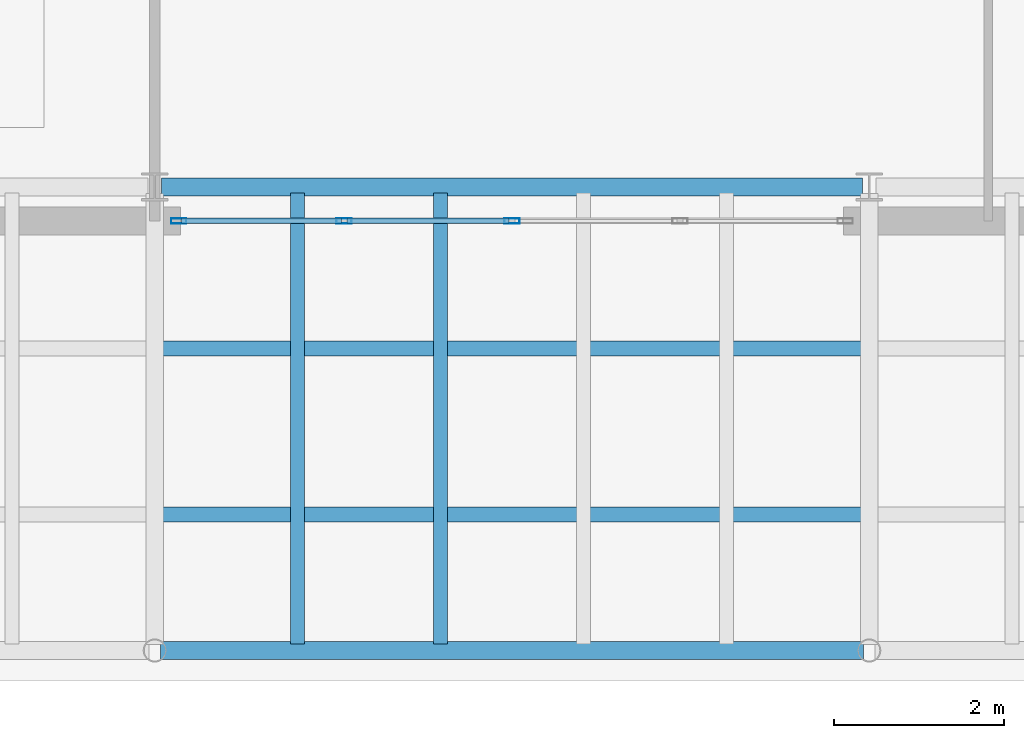
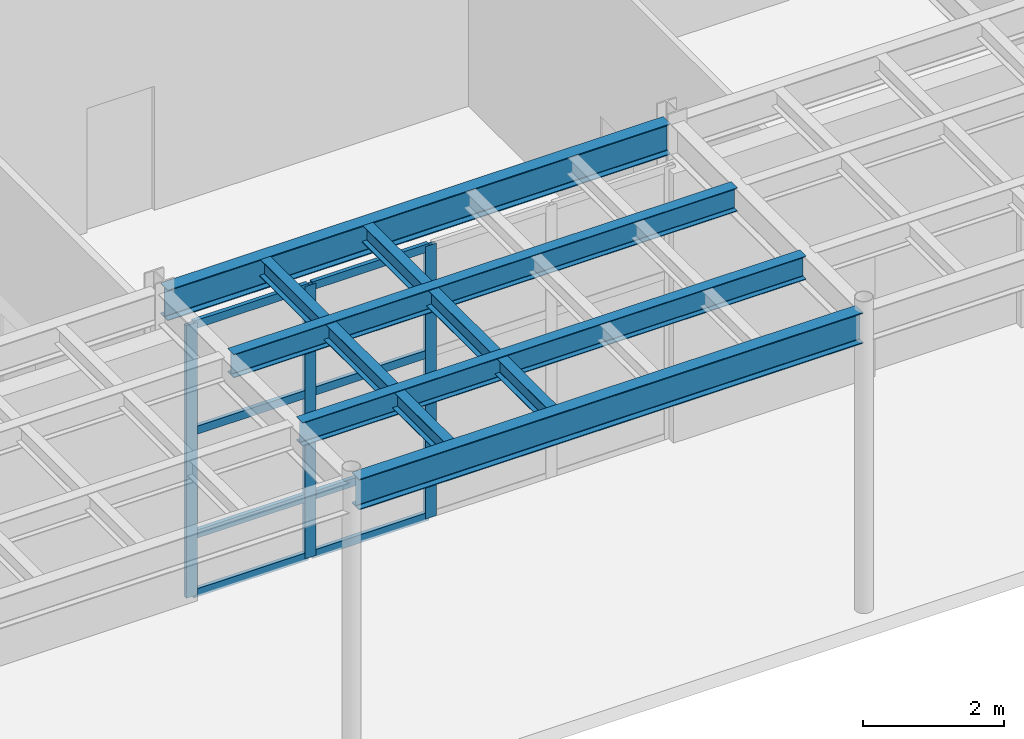
# One storey, part 29 of 87: 11 members, 6 beams, 1 element without a shape of its own.
"""IFC4 building model written with IfcOpenShell, lengths in metres."""

from ifc_helpers import new_model, si_unit, direction, frame, origin, origin_2d, place, context, subcontext, project, spatial, hollow_rectangle, i_section, extrude, material, layer, layer_set, material_profile, profile_set, type_object, element, aggregate, save


model = new_model("IFC4")

# Units and contexts
model_context = context("Model", 3, precision=1e-05, world=origin(), true_north=direction((0.0, 1.0)))
body_context = subcontext(model_context, "Body", "Model", "MODEL_VIEW")
ifc_project = project(units=[si_unit("LENGTHUNIT", "METRE"), si_unit("AREAUNIT", "SQUARE_METRE"), si_unit("VOLUMEUNIT", "CUBIC_METRE"), si_unit("PLANEANGLEUNIT", "RADIAN"), si_unit("MASSUNIT", "GRAM", prefix="KILO")], contexts=[model_context])

# Site, building, storey
site_placement = place(None, origin())
site = spatial("IfcSite", under=ifc_project, at=site_placement, CompositionType="ELEMENT")
building_placement = place(site_placement, origin())
building = spatial("IfcBuilding", under=site, at=building_placement, Name="Selat Folded Stagehouse", CompositionType="ELEMENT")
storey_placement = place(building_placement, origin())
storey = spatial("IfcBuildingStorey", under=building, at=storey_placement, Name="L00", CompositionType="ELEMENT", Elevation=0.0)

# Beams
ifc_material_1 = material(Name="Steel S355", Category="steel")
ifc_material_profile_1 = material_profile(ifc_material_1, i_section(OverallWidth=0.209228515625, OverallDepth=0.533203125, WebThickness=0.010009765625, FlangeThickness=0.015625, FilletRadius=0.0126953125, at=origin_2d()), Name="UKB 533x210x92")
ifc_profile_set_1 = profile_set([ifc_material_profile_1], Name="Steel S355")
beam_type_1 = type_object("IfcBeamType", Name="BM-GIRD-533x210x92", PredefinedType="BEAM", material=ifc_profile_set_1)
beam_1_placement = place(storey_placement, frame((58.8681640625, 0.35009765625, 4.943603515625), z_axis=(1.0, 0.0, 0.0), x_axis=(0.0, 1.0, 0.0)))
element("IfcBeam", 1, at=beam_1_placement, inside=storey, type_object=beam_type_1, Name="L00 primary x-girder 0498", PredefinedType="BEAM", context=body_context, shape_type="SweptSolid", body=[
    extrude(i_section(OverallWidth=0.209228515625, OverallDepth=0.533203125, WebThickness=0.010009765625, FlangeThickness=0.015625, FilletRadius=0.0126953125, at=origin_2d()), origin(), (0.0, 0.0, 1.0), 8.263427734375),
])
beam_2_placement = place(storey_placement, frame((58.8798828125, 5.800048828125, 4.91357421875), z_axis=(1.0, 0.0, 0.0), x_axis=(0.0, 1.0, 0.0)))
element("IfcBeam", 2, at=beam_2_placement, inside=storey, type_object=beam_type_1, Name="L00 primary x-girder 0502", PredefinedType="BEAM", context=body_context, shape_type="SweptSolid", body=[
    extrude(i_section(OverallWidth=0.209228515625, OverallDepth=0.533203125, WebThickness=0.010009765625, FlangeThickness=0.015625, FilletRadius=0.0126953125, at=origin_2d()), origin(), (0.0, 0.0, 1.0), 8.240234375),
])

# Curtain wall, members
ifc_material_2 = material(Name="Aluminium 6063-T6", Category="aluminium")
ifc_layer = layer(ifc_material_2, 0.2099609375)
ifc_layer_set = layer_set([ifc_layer], Name="Aluminium 6063-T6")
curtain_wall_type = type_object("IfcCurtainWallType", Name="CW-FYR-SOUTH", PredefinedType="NOTDEFINED", material=ifc_layer_set)
curtain_wall_placement = place(storey_placement, origin())
curtain_wall = element("IfcCurtainWall", 3, at=curtain_wall_placement, inside=storey, type_object=curtain_wall_type, Name="L00 curtain wall CW-FYR-L00-02", PredefinedType="NOTDEFINED")
ifc_material_profile_2 = material_profile(ifc_material_2, hollow_rectangle(XDim=0.06494140625, YDim=0.179931640625, WallThickness=0.00390625, at=origin_2d()), Name="ALU 180x65x4.0")
ifc_profile_set_2 = profile_set([ifc_material_profile_2], Name="Aluminium 6063-T6")
member_type_1 = type_object("IfcMemberType", Name="CWM-MUL-180x65", PredefinedType="MULLION", material=ifc_profile_set_2)
member_1_placement = place(storey_placement, frame((63.0, 5.39990234375, 0.0), z_axis=(0.0, 0.0, 1.0), x_axis=(0.0, -1.0, 0.0)))
member_1 = element("IfcMember", 4, at=member_1_placement, type_object=member_type_1, Name="CW-04 mullion 3", PredefinedType="MULLION", context=body_context, shape_type="SweptSolid", body=[
    extrude(hollow_rectangle(XDim=0.06494140625, YDim=0.179931640625, WallThickness=0.00390625, at=origin_2d()), origin(), (0.0, 0.0, 1.0), 4.719970703125),
])
member_2_placement = place(storey_placement, frame((61.02490234375, 5.39990234375, 0.0), z_axis=(0.0, 0.0, 1.0), x_axis=(0.0, -1.0, 0.0)))
member_2 = element("IfcMember", 5, at=member_2_placement, type_object=member_type_1, Name="CW-04 mullion 4", PredefinedType="MULLION", context=body_context, shape_type="SweptSolid", body=[
    extrude(hollow_rectangle(XDim=0.06494140625, YDim=0.179931640625, WallThickness=0.00390625, at=origin_2d()), origin(), (0.0, 0.0, 1.0), 4.719970703125),
])
member_3_placement = place(storey_placement, frame((59.08251953125, 5.39990234375, 0.0), z_axis=(0.0, 0.0, 1.0), x_axis=(0.0, -1.0, 0.0)))
member_3 = element("IfcMember", 6, at=member_3_placement, type_object=member_type_1, Name="CW-04 mullion 5", PredefinedType="MULLION", context=body_context, shape_type="SweptSolid", body=[
    extrude(hollow_rectangle(XDim=0.06494140625, YDim=0.179931640625, WallThickness=0.00390625, at=origin_2d()), origin(), (0.0, 0.0, 1.0), 4.719970703125),
])
ifc_material_profile_3 = material_profile(ifc_material_2, hollow_rectangle(XDim=0.06494140625, YDim=0.139892578125, WallThickness=0.00390625, at=origin_2d()), Name="ALU 140x65x4.0")
ifc_profile_set_3 = profile_set([ifc_material_profile_3], Name="Aluminium 6063-T6")
member_type_2 = type_object("IfcMemberType", Name="CWM-TRN-140x65", PredefinedType="USERDEFINED", material=ifc_profile_set_3)
member_4_placement = place(storey_placement, frame((62.967529296875, 5.39990234375, 0.032470703125), z_axis=(-1.0, 0.0, 0.0), x_axis=(0.0, -1.0, 0.0)))
member_4 = element("IfcMember", 7, at=member_4_placement, type_object=member_type_2, Name="CW-04 transom 3.1", ObjectType="TRANSOM", PredefinedType="USERDEFINED", context=body_context, shape_type="SweptSolid", body=[
    extrude(hollow_rectangle(XDim=0.06494140625, YDim=0.139892578125, WallThickness=0.00390625, at=origin_2d()), origin(), (0.0, 0.0, 1.0), 1.909912109375),
])
member_5_placement = place(storey_placement, frame((62.967529296875, 5.39990234375, 1.050048828125), z_axis=(-1.0, 0.0, 0.0), x_axis=(0.0, -1.0, 0.0)))
member_5 = element("IfcMember", 8, at=member_5_placement, type_object=member_type_2, Name="CW-04 transom 3.2", ObjectType="TRANSOM", PredefinedType="USERDEFINED", context=body_context, shape_type="SweptSolid", body=[
    extrude(hollow_rectangle(XDim=0.06494140625, YDim=0.139892578125, WallThickness=0.00390625, at=origin_2d()), origin(), (0.0, 0.0, 1.0), 1.909912109375),
])
member_6_placement = place(storey_placement, frame((62.967529296875, 5.39990234375, 2.85009765625), z_axis=(-1.0, 0.0, 0.0), x_axis=(0.0, -1.0, 0.0)))
member_6 = element("IfcMember", 9, at=member_6_placement, type_object=member_type_2, Name="CW-04 transom 3.3", ObjectType="TRANSOM", PredefinedType="USERDEFINED", context=body_context, shape_type="SweptSolid", body=[
    extrude(hollow_rectangle(XDim=0.06494140625, YDim=0.139892578125, WallThickness=0.00390625, at=origin_2d()), origin(), (0.0, 0.0, 1.0), 1.909912109375),
])
member_7_placement = place(storey_placement, frame((62.967529296875, 5.39990234375, 4.6875), z_axis=(-1.0, 0.0, 0.0), x_axis=(0.0, -1.0, 0.0)))
member_7 = element("IfcMember", 10, at=member_7_placement, type_object=member_type_2, Name="CW-04 transom 3.4", ObjectType="TRANSOM", PredefinedType="USERDEFINED", context=body_context, shape_type="SweptSolid", body=[
    extrude(hollow_rectangle(XDim=0.06494140625, YDim=0.139892578125, WallThickness=0.00390625, at=origin_2d()), origin(), (0.0, 0.0, 1.0), 1.909912109375),
])
member_8_placement = place(storey_placement, frame((60.992431640625, 5.39990234375, 0.032470703125), z_axis=(-1.0, 0.0, 0.0), x_axis=(0.0, -1.0, 0.0)))
member_8 = element("IfcMember", 11, at=member_8_placement, type_object=member_type_2, Name="CW-04 transom 4.1", ObjectType="TRANSOM", PredefinedType="USERDEFINED", context=body_context, shape_type="SweptSolid", body=[
    extrude(hollow_rectangle(XDim=0.06494140625, YDim=0.139892578125, WallThickness=0.00390625, at=origin_2d()), origin(), (0.0, 0.0, 1.0), 1.87744140625),
])
member_9_placement = place(storey_placement, frame((60.992431640625, 5.39990234375, 1.050048828125), z_axis=(-1.0, 0.0, 0.0), x_axis=(0.0, -1.0, 0.0)))
member_9 = element("IfcMember", 12, at=member_9_placement, type_object=member_type_2, Name="CW-04 transom 4.2", ObjectType="TRANSOM", PredefinedType="USERDEFINED", context=body_context, shape_type="SweptSolid", body=[
    extrude(hollow_rectangle(XDim=0.06494140625, YDim=0.139892578125, WallThickness=0.00390625, at=origin_2d()), origin(), (0.0, 0.0, 1.0), 1.87744140625),
])
member_10_placement = place(storey_placement, frame((60.992431640625, 5.39990234375, 2.85009765625), z_axis=(-1.0, 0.0, 0.0), x_axis=(0.0, -1.0, 0.0)))
member_10 = element("IfcMember", 13, at=member_10_placement, type_object=member_type_2, Name="CW-04 transom 4.3", ObjectType="TRANSOM", PredefinedType="USERDEFINED", context=body_context, shape_type="SweptSolid", body=[
    extrude(hollow_rectangle(XDim=0.06494140625, YDim=0.139892578125, WallThickness=0.00390625, at=origin_2d()), origin(), (0.0, 0.0, 1.0), 1.87744140625),
])
member_11_placement = place(storey_placement, frame((60.992431640625, 5.39990234375, 4.6875), z_axis=(-1.0, 0.0, 0.0), x_axis=(0.0, -1.0, 0.0)))
member_11 = element("IfcMember", 14, at=member_11_placement, type_object=member_type_2, Name="CW-04 transom 4.4", ObjectType="TRANSOM", PredefinedType="USERDEFINED", context=body_context, shape_type="SweptSolid", body=[
    extrude(hollow_rectangle(XDim=0.06494140625, YDim=0.139892578125, WallThickness=0.00390625, at=origin_2d()), origin(), (0.0, 0.0, 1.0), 1.87744140625),
])
aggregate(curtain_wall, [member_1, member_2, member_3, member_4, member_5, member_6, member_7, member_8, member_9, member_10, member_11])

# Beams
ifc_material_profile_4 = material_profile(ifc_material_1, i_section(OverallWidth=0.1650390625, OverallDepth=0.303466796875, WebThickness=0.006103515625, FlangeThickness=0.01025390625, FilletRadius=0.0087890625, at=origin_2d()), Name="UKB 305x165x40")
ifc_profile_set_4 = profile_set([ifc_material_profile_4], Name="Steel S355")
beam_type_2 = type_object("IfcBeamType", Name="JST-305x165x40", PredefinedType="JOIST", material=ifc_profile_set_4)
for number, where, z_axis, x_axis, name in (
    (15, (60.47998046875, 0.42333984375, 5.0283203125), (0.0, 1.0, 0.0), (-1.0, 0.0, 0.0), "L00 secondary floor joist 0656"),
    (16, (62.159912109375, 0.42333984375, 5.0283203125), (0.0, 1.0, 0.0), (-1.0, 0.0, 0.0), "L00 secondary floor joist 0658"),
):
    element("IfcBeam", number, at=place(storey_placement, frame(where, z_axis=z_axis, x_axis=x_axis)), inside=storey, type_object=beam_type_2, Name=name, PredefinedType="JOIST", context=body_context, shape_type="SweptSolid", body=[
        extrude(i_section(OverallWidth=0.1650390625, OverallDepth=0.303466796875, WebThickness=0.006103515625, FlangeThickness=0.01025390625, FilletRadius=0.0087890625, at=origin_2d()), origin(), (0.0, 0.0, 1.0), 5.303466796875),
    ])
ifc_material_profile_5 = material_profile(ifc_material_1, i_section(OverallWidth=0.177978515625, OverallDepth=0.406494140625, WebThickness=0.0078125, FlangeThickness=0.0126953125, FilletRadius=0.01025390625, at=origin_2d()), Name="UKB 406x178x60")
ifc_profile_set_5 = profile_set([ifc_material_profile_5], Name="Steel S355")
beam_type_3 = type_object("IfcBeamType", Name="JST-406x178x60", PredefinedType="JOIST", material=ifc_profile_set_5)
for number, where, z_axis, x_axis, name in (
    (17, (58.873779296875, 1.949951171875, 5.0068359375), (1.0, 0.0, 0.0), (0.0, 1.0, 0.0), "L00 secondary x-joist 0701"),
    (18, (58.873779296875, 3.89990234375, 5.0068359375), (1.0, 0.0, 0.0), (0.0, 1.0, 0.0), "L00 secondary x-joist 0706"),
):
    element("IfcBeam", number, at=place(storey_placement, frame(where, z_axis=z_axis, x_axis=x_axis)), inside=storey, type_object=beam_type_3, Name=name, PredefinedType="JOIST", context=body_context, shape_type="SweptSolid", body=[
        extrude(i_section(OverallWidth=0.177978515625, OverallDepth=0.406494140625, WebThickness=0.0078125, FlangeThickness=0.0126953125, FilletRadius=0.01025390625, at=origin_2d()), origin(), (0.0, 0.0, 1.0), 8.25244140625),
    ])

save(model, "model.ifc")
